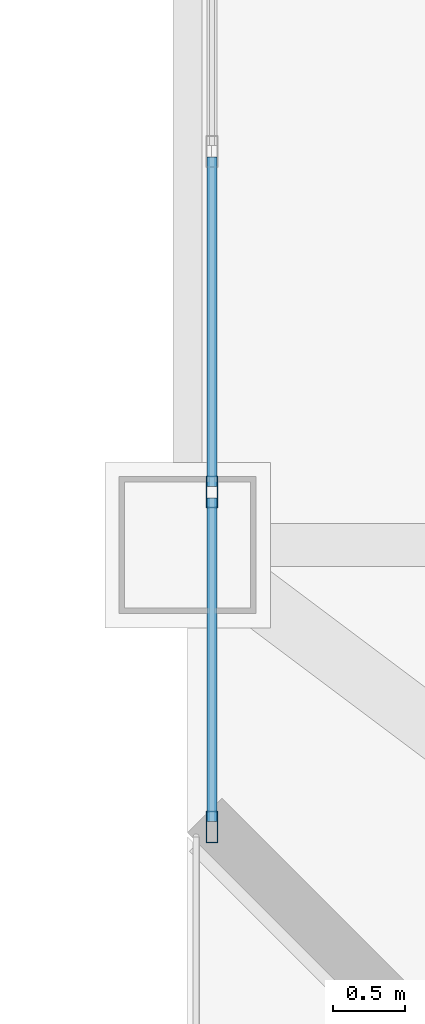
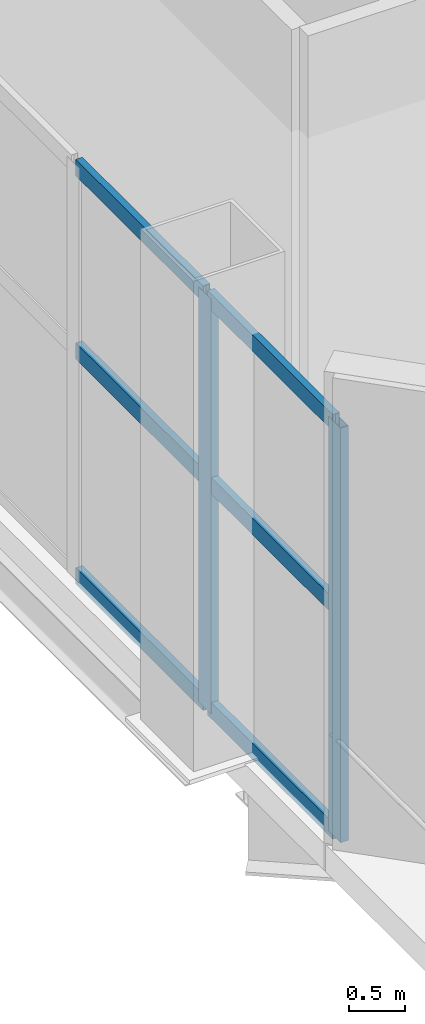
# One storey, part 5 of 21: 8 members, 1 element without a shape of its own.
"""IFC4 building model written with IfcOpenShell, lengths in metres."""

from ifc_helpers import new_model, si_unit, direction, frame, origin, origin_2d, place, context, subcontext, project, spatial, hollow_rectangle, extrude, material, layer, layer_set, material_profile, profile_set, type_object, element, aggregate, save


model = new_model("IFC4")

# Units and contexts
model_context = context("Model", 3, precision=1e-05, world=origin(), true_north=direction((0.0, 1.0)))
body_context = subcontext(model_context, "Body", "Model", "MODEL_VIEW")
ifc_project = project(units=[si_unit("LENGTHUNIT", "METRE"), si_unit("AREAUNIT", "SQUARE_METRE"), si_unit("VOLUMEUNIT", "CUBIC_METRE"), si_unit("PLANEANGLEUNIT", "RADIAN"), si_unit("MASSUNIT", "GRAM", prefix="KILO")], contexts=[model_context])

# Site, building, storey
site_placement = place(None, origin())
site = spatial("IfcSite", under=ifc_project, at=site_placement, CompositionType="ELEMENT")
building_placement = place(site_placement, origin())
building = spatial("IfcBuilding", under=site, at=building_placement, Name="Qianrong Seaharbour Tower", CompositionType="ELEMENT")
storey_placement = place(building_placement, frame((0.0, 0.0, 200.39990234375)))
storey = spatial("IfcBuildingStorey", under=building, at=storey_placement, Name="L48", CompositionType="ELEMENT", Elevation=200.39990234375)

# Curtain wall, members
ifc_material_1 = material(Name="Anodised aluminium 6063-T6 and laminated low-e glass", Category="aluminium")
ifc_layer = layer(ifc_material_1, 0.2099609375)
ifc_layer_set = layer_set([ifc_layer], Name="Anodised aluminium 6063-T6 and laminated low-e glass")
curtain_wall_type = type_object("IfcCurtainWallType", Name="CW-SYS-2", PredefinedType="NOTDEFINED", material=ifc_layer_set)
curtain_wall_placement = place(storey_placement, origin())
curtain_wall = element("IfcCurtainWall", 1, at=curtain_wall_placement, inside=storey, type_object=curtain_wall_type, Name="L48 Sky-Lobby Feature Curtain Wall REENTRANT_WEST", PredefinedType="NOTDEFINED")
ifc_material_2 = material(Name="Extruded aluminium 6063-T6", Category="aluminium")
ifc_material_profile_1 = material_profile(ifc_material_2, hollow_rectangle(XDim=0.080078125, YDim=0.219970703125, WallThickness=0.0048828125, at=origin_2d()), Name="ALU-MUL-220x80x5")
ifc_profile_set_1 = profile_set([ifc_material_profile_1], Name="Extruded aluminium 6063-T6")
member_type_1 = type_object("IfcMemberType", Name="CW-MUL-220", PredefinedType="MULLION", material=ifc_profile_set_1)
member_1_placement = place(storey_placement, frame((40.669921875, 16.5400390625, 0.0), z_axis=(0.0, 0.0, 1.0), x_axis=(-1.0, 0.0, 0.0)))
member_1 = element("IfcMember", 2, at=member_1_placement, type_object=member_type_1, Name="CW-2 mullion 1", PredefinedType="MULLION", context=body_context, shape_type="SweptSolid", body=[
    extrude(hollow_rectangle(XDim=0.080078125, YDim=0.219970703125, WallThickness=0.0048828125, at=origin_2d()), origin(), (0.0, 0.0, 1.0), 4.547119140625),
])
member_2_placement = place(storey_placement, frame((40.669921875, 18.867919921875, 0.0), z_axis=(0.0, 0.0, 1.0), x_axis=(-1.0, 0.0, 0.0)))
member_2 = element("IfcMember", 3, at=member_2_placement, type_object=member_type_1, Name="CW-2 mullion 2", PredefinedType="MULLION", context=body_context, shape_type="SweptSolid", body=[
    extrude(hollow_rectangle(XDim=0.080078125, YDim=0.219970703125, WallThickness=0.0048828125, at=origin_2d()), origin(), (0.0, 0.0, 1.0), 4.547119140625),
])
ifc_material_profile_2 = material_profile(ifc_material_2, hollow_rectangle(XDim=0.070068359375, YDim=0.179931640625, WallThickness=0.00390625, at=origin_2d()), Name="ALU-TRN-180x70x4")
ifc_profile_set_2 = profile_set([ifc_material_profile_2], Name="Extruded aluminium 6063-T6")
member_type_2 = type_object("IfcMemberType", Name="CW-TRN-180", PredefinedType="USERDEFINED", material=ifc_profile_set_2)
member_3_placement = place(storey_placement, frame((40.669921875, 16.580078125, 0.03515625), z_axis=(0.0, 1.0, 0.0), x_axis=(-1.0, 0.0, 0.0)))
member_3 = element("IfcMember", 4, at=member_3_placement, type_object=member_type_2, Name="CW-2 transom 1.1", ObjectType="TRANSOM", PredefinedType="USERDEFINED", context=body_context, shape_type="SweptSolid", body=[
    extrude(hollow_rectangle(XDim=0.070068359375, YDim=0.179931640625, WallThickness=0.00390625, at=origin_2d()), origin(), (0.0, 0.0, 1.0), 2.247802734375),
])
member_4_placement = place(storey_placement, frame((40.669921875, 16.580078125, 2.5009765625), z_axis=(0.0, 1.0, 0.0), x_axis=(-1.0, 0.0, 0.0)))
member_4 = element("IfcMember", 5, at=member_4_placement, type_object=member_type_2, Name="CW-2 transom 1.2", ObjectType="TRANSOM", PredefinedType="USERDEFINED", context=body_context, shape_type="SweptSolid", body=[
    extrude(hollow_rectangle(XDim=0.070068359375, YDim=0.179931640625, WallThickness=0.00390625, at=origin_2d()), origin(), (0.0, 0.0, 1.0), 2.247802734375),
])
member_5_placement = place(storey_placement, frame((40.669921875, 16.580078125, 4.51220703125), z_axis=(0.0, 1.0, 0.0), x_axis=(-1.0, 0.0, 0.0)))
member_5 = element("IfcMember", 6, at=member_5_placement, type_object=member_type_2, Name="CW-2 transom 1.3", ObjectType="TRANSOM", PredefinedType="USERDEFINED", context=body_context, shape_type="SweptSolid", body=[
    extrude(hollow_rectangle(XDim=0.070068359375, YDim=0.179931640625, WallThickness=0.00390625, at=origin_2d()), origin(), (0.0, 0.0, 1.0), 2.247802734375),
])
member_6_placement = place(storey_placement, frame((40.669921875, 18.907958984375, 0.03515625), z_axis=(0.0, 1.0, 0.0), x_axis=(-1.0, 0.0, 0.0)))
member_6 = element("IfcMember", 7, at=member_6_placement, type_object=member_type_2, Name="CW-2 transom 2.1", ObjectType="TRANSOM", PredefinedType="USERDEFINED", context=body_context, shape_type="SweptSolid", body=[
    extrude(hollow_rectangle(XDim=0.070068359375, YDim=0.179931640625, WallThickness=0.00390625, at=origin_2d()), origin(), (0.0, 0.0, 1.0), 2.2880859375),
])
member_7_placement = place(storey_placement, frame((40.669921875, 18.907958984375, 2.5009765625), z_axis=(0.0, 1.0, 0.0), x_axis=(-1.0, 0.0, 0.0)))
member_7 = element("IfcMember", 8, at=member_7_placement, type_object=member_type_2, Name="CW-2 transom 2.2", ObjectType="TRANSOM", PredefinedType="USERDEFINED", context=body_context, shape_type="SweptSolid", body=[
    extrude(hollow_rectangle(XDim=0.070068359375, YDim=0.179931640625, WallThickness=0.00390625, at=origin_2d()), origin(), (0.0, 0.0, 1.0), 2.2880859375),
])
member_8_placement = place(storey_placement, frame((40.669921875, 18.907958984375, 4.51220703125), z_axis=(0.0, 1.0, 0.0), x_axis=(-1.0, 0.0, 0.0)))
member_8 = element("IfcMember", 9, at=member_8_placement, type_object=member_type_2, Name="CW-2 transom 2.3", ObjectType="TRANSOM", PredefinedType="USERDEFINED", context=body_context, shape_type="SweptSolid", body=[
    extrude(hollow_rectangle(XDim=0.070068359375, YDim=0.179931640625, WallThickness=0.00390625, at=origin_2d()), origin(), (0.0, 0.0, 1.0), 2.2880859375),
])
aggregate(curtain_wall, [member_1, member_2, member_3, member_4, member_5, member_6, member_7, member_8])

save(model, "model.ifc")
